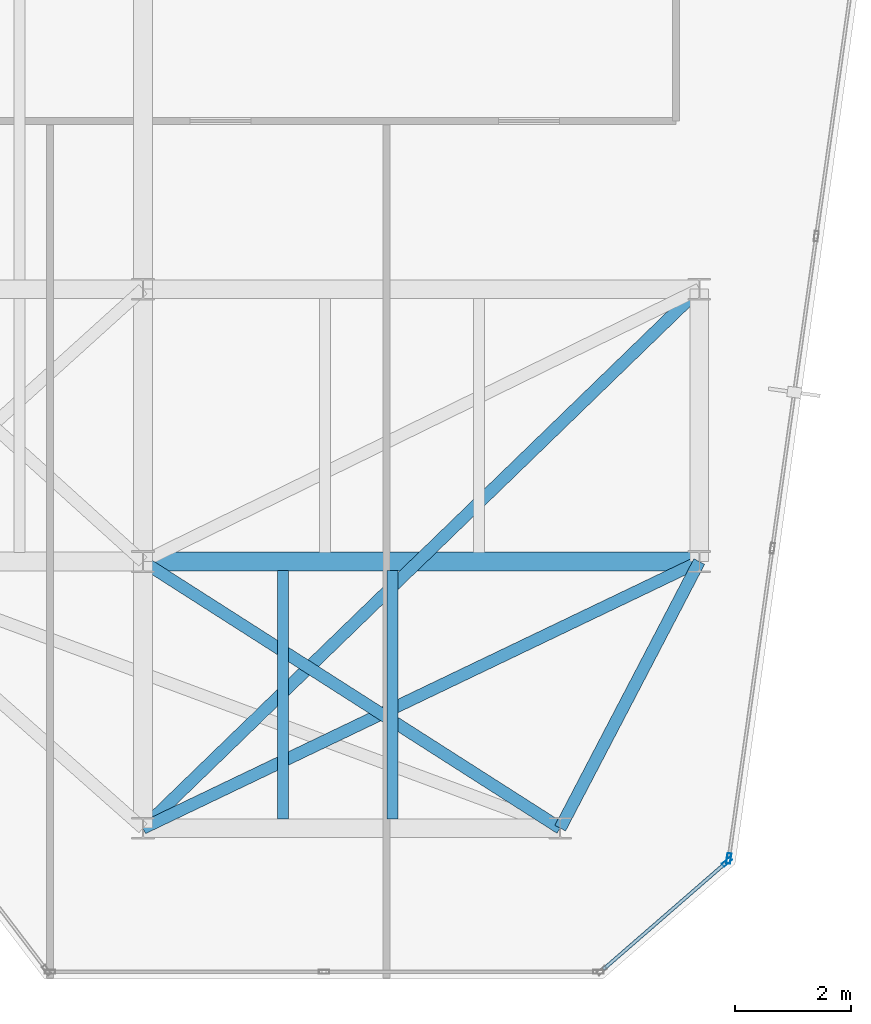
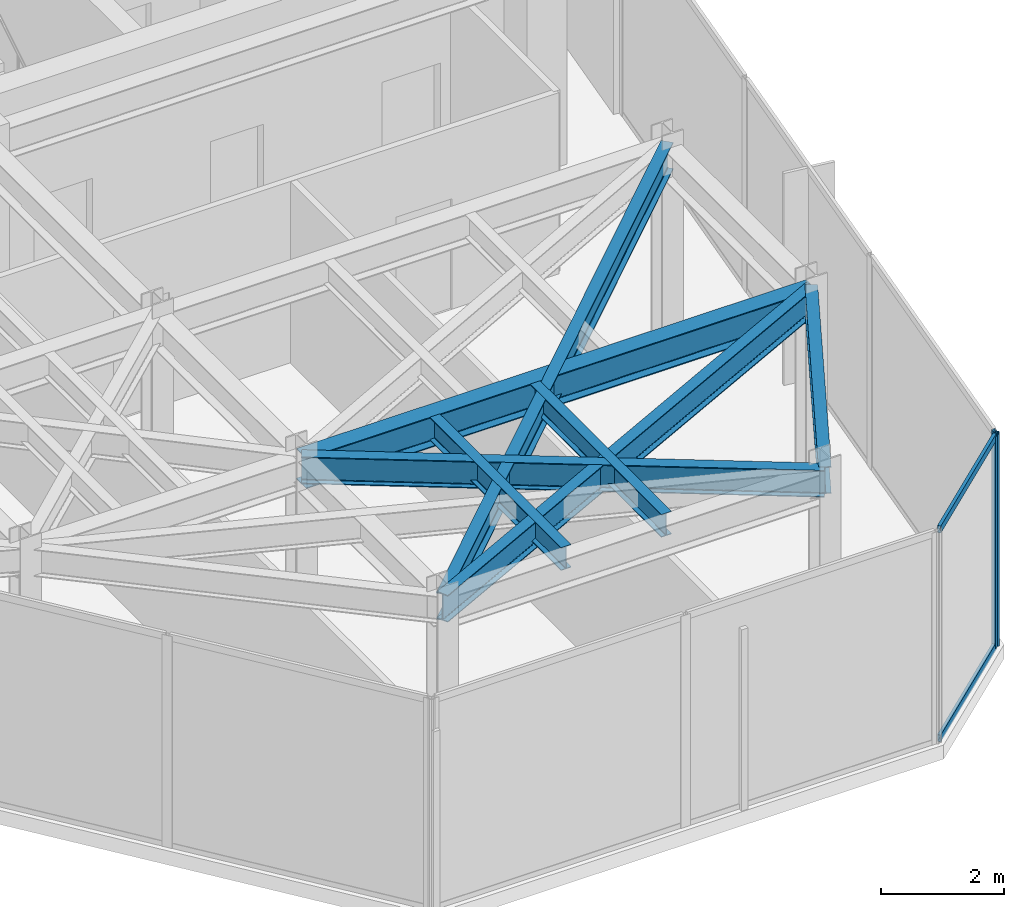
# One storey, part 8 of 17: 7 beams, 4 members, 2 elements without a shape of their own.
"""IFC4 building model written with IfcOpenShell, lengths in metres."""

import ifcopenshell
import ifcopenshell.guid

model = None  # the IFC model being written
_history = None  # IfcOwnerHistory: only IFC2X3 demands one
_inside = {}  # id of a spatial element -> (the spatial element, [elements in it])
_under = {}  # id of a project, library or spatial element -> (it, [spatial elements below it])
_declared = {}  # id of a project -> (the project, [libraries it declares])
_typed = {}  # id of a type object -> (the type object, [elements of that type])
_made_of = {}  # id of a material, layer set ... -> (it, [elements and type objects made of it])


def new_model(schema):
    """Start an empty IFC model of exactly this schema.

    Asked for "IFC4X3", IfcOpenShell would pick the latest addendum, in which some entities
    have other attributes; the version numbers below select the first issue.
    IFC2X3 requires an IfcOwnerHistory on every rooted entity: one is made here for all.
    """
    global model, _history
    if schema == "IFC4X3":
        model = ifcopenshell.file(schema_version=(4, 3, 0, 0))
    else:
        model = ifcopenshell.file(schema=schema)
    _inside.clear()
    _under.clear()
    _declared.clear()
    _typed.clear()
    _made_of.clear()
    _history = None
    if model.schema == "IFC2X3":
        org = make("IfcOrganization", Name="unknown")
        user = make(
            "IfcPersonAndOrganization",
            ThePerson=make("IfcPerson", FamilyName="unknown"),
            TheOrganization=org,
        )
        app = make(
            "IfcApplication",
            ApplicationDeveloper=org,
            Version="unknown",
            ApplicationFullName="unknown",
            ApplicationIdentifier="unknown",
        )
        _history = make(
            "IfcOwnerHistory",
            OwningUser=user,
            OwningApplication=app,
            ChangeAction="ADDED",
            CreationDate=0,
        )
    return model


def make(cls, **values):
    """One entity of the class cls with the attributes given. An attribute that is None is left unset."""
    return model.create_entity(
        cls, **{name: value for name, value in values.items() if value is not None}
    )


def rooted(cls, **values):
    """An entity with a GlobalId (a new one), such as an element, a storey or a relation."""
    return make(cls, GlobalId=ifcopenshell.guid.new(), OwnerHistory=_history, **values)


def si_unit(unit_type, name, prefix=None):
    """IfcSIUnit, for example si_unit("LENGTHUNIT", "METRE", prefix="MILLI")."""
    return make("IfcSIUnit", UnitType=unit_type, Prefix=prefix, Name=name)


def assignment(units):
    """IfcUnitAssignment: the units of a project."""
    return None if units is None else make("IfcUnitAssignment", Units=units)


def point(xyz):
    """IfcCartesianPoint."""
    return None if xyz is None else make("IfcCartesianPoint", Coordinates=xyz)


def direction(xyz):
    """IfcDirection."""
    return None if xyz is None else make("IfcDirection", DirectionRatios=xyz)


def frame(location, z_axis=None, x_axis=None):
    """IfcAxis2Placement3D, a coordinate frame: its origin and axes. An axis left out is left unset."""
    return make(
        "IfcAxis2Placement3D",
        Location=point(location),
        Axis=direction(z_axis),
        RefDirection=direction(x_axis),
    )


def frame_2d(location, x_axis=None):
    """IfcAxis2Placement2D, a coordinate frame in the plane: its origin and x axis."""
    return make(
        "IfcAxis2Placement2D", Location=point(location), RefDirection=direction(x_axis)
    )


def origin():
    """The frame at (0, 0, 0) with its axes left unset."""
    return frame((0.0, 0.0, 0.0))


def origin_2d():
    """The frame at (0, 0) in the plane with its x axis left unset."""
    return frame_2d((0.0, 0.0))


def place(relative_to, where):
    """IfcLocalPlacement: puts the frame where relative to a parent placement (None: the world)."""
    return make(
        "IfcLocalPlacement", PlacementRelTo=relative_to, RelativePlacement=where
    )


def context(
    kind, dimensions, precision=None, world=None, true_north=None, identifier=None
):
    """IfcGeometricRepresentationContext, for example the 3D "Model" context."""
    return make(
        "IfcGeometricRepresentationContext",
        ContextIdentifier=identifier,
        ContextType=kind,
        CoordinateSpaceDimension=dimensions,
        Precision=precision,
        WorldCoordinateSystem=world,
        TrueNorth=true_north,
    )


def subcontext(parent, identifier, kind, view, scale=None):
    """IfcGeometricRepresentationSubContext, for example "Body" below "Model"."""
    return make(
        "IfcGeometricRepresentationSubContext",
        ContextIdentifier=identifier,
        ContextType=kind,
        ParentContext=parent,
        TargetScale=scale,
        TargetView=view,
    )


def project(units=None, contexts=None):
    """IfcProject with its units and contexts."""
    return rooted(
        "IfcProject",
        Name="project",
        RepresentationContexts=contexts,
        UnitsInContext=assignment(units),
    )


def spatial(cls, under=None, at=None, **own):
    """A site, building, storey or space (cls), placed at a placement, below another one or the project."""
    s = rooted(cls, ObjectPlacement=at, **own)
    if under is not None:
        _under.setdefault(under.id(), (under, []))[1].append(s)
    return s


def profile(cls, at=None, kind="AREA", **sizes):
    """A parametric profile (cls). Its sizes go by their IFC names, for example OverallWidth=200.0."""
    return make(cls, ProfileType=kind, Position=at, **sizes)


def hollow_rectangle(**sizes):
    """IfcRectangleHollowProfileDef."""
    return profile("IfcRectangleHollowProfileDef", **sizes)


def i_section(**sizes):
    """IfcIShapeProfileDef."""
    return profile("IfcIShapeProfileDef", **sizes)


def extrude(swept, where, along, depth):
    """IfcExtrudedAreaSolid: the profile swept, set in the frame where, extruded along a direction by depth."""
    return make(
        "IfcExtrudedAreaSolid",
        SweptArea=swept,
        Position=where,
        ExtrudedDirection=direction(along),
        Depth=depth,
    )


def shape(context_of_items, identifier, shape_type, items):
    """IfcShapeRepresentation: the items that make up one representation, for example the "Body"."""
    return make(
        "IfcShapeRepresentation",
        ContextOfItems=context_of_items,
        RepresentationIdentifier=identifier,
        RepresentationType=shape_type,
        Items=items,
    )


def material(Name=None, Category=None):
    """IfcMaterial."""
    return make("IfcMaterial", Name=Name, Category=Category)


def layer(
    of_material, thickness, ventilated=None, Name=None, Category=None, Priority=None
):
    """IfcMaterialLayer: one layer of a wall or slab, of a material (None: an air gap)."""
    return make(
        "IfcMaterialLayer",
        Material=of_material,
        LayerThickness=thickness,
        IsVentilated=ventilated,
        Name=Name,
        Category=Category,
        Priority=Priority,
    )


def layer_set(layers, Name=None):
    """IfcMaterialLayerSet."""
    return make("IfcMaterialLayerSet", MaterialLayers=layers, LayerSetName=Name)


def material_profile(
    of_material, cross_section, Name=None, Category=None, Priority=None
):
    """IfcMaterialProfile: a cross section and its material."""
    return make(
        "IfcMaterialProfile",
        Name=Name,
        Material=of_material,
        Profile=cross_section,
        Priority=Priority,
        Category=Category,
    )


def profile_set(profiles, Name=None, composite=None):
    """IfcMaterialProfileSet."""
    return make(
        "IfcMaterialProfileSet",
        Name=Name,
        MaterialProfiles=profiles,
        CompositeProfile=composite,
    )


def made_of(thing, what):
    """Note that an element or type object is made of a material, layer set ...; save() writes the relation."""
    if what is not None:
        _made_of.setdefault(what.id(), (what, []))[1].append(thing)
    return thing


def type_object(cls, material=None, **own):
    """A type object (cls), such as IfcWallType, which elements share."""
    return made_of(rooted(cls, **own), material)


def element(
    cls,
    number,
    at=None,
    inside=None,
    cuts=None,
    type_object=None,
    material=None,
    context=None,
    identifier="Body",
    shape_type=None,
    held_by="IfcProductDefinitionShape",
    body=None,
    shapes=None,
    **own,
):
    """One element of the class cls, such as IfcWall. Its Tag is "e" and its number.

    at: its placement. inside: the storey or other place that contains it. cuts: it is an
    opening in that element (IfcRelVoidsElement). A single representation is given by context,
    identifier, shape_type and body (its items); several are given by shapes. held_by: the class
    of the entity that holds the representations. save() writes the other relations.
    """
    e = rooted(cls, Tag="e%d" % number, ObjectPlacement=at, **own)
    if body is not None:
        shapes = [shape(context, identifier, shape_type, body)]
    if shapes is not None:
        e.Representation = make(held_by, Representations=shapes)
    if inside is not None:
        _inside.setdefault(inside.id(), (inside, []))[1].append(e)
    if cuts is not None:
        rooted(
            "IfcRelVoidsElement", RelatingBuildingElement=cuts, RelatedOpeningElement=e
        )
    if type_object is not None:
        _typed.setdefault(type_object.id(), (type_object, []))[1].append(e)
    return made_of(e, material)


def aggregate(whole, parts):
    """IfcRelAggregates: a whole, such as a stair, and the parts it consists of."""
    return rooted("IfcRelAggregates", RelatingObject=whole, RelatedObjects=parts)


def save(model, path):
    """Write the relations noted so far, then the file.

    IfcRelAggregates (storeys below a building ...), IfcRelContainedInSpatialStructure (elements
    in a storey), IfcRelDefinesByType, IfcRelAssociatesMaterial and IfcRelDeclares: one each for
    every whole, place, type object, material and project.
    """
    for whole, parts in _under.values():
        aggregate(whole, parts)
    for where, things in _inside.values():
        rooted(
            "IfcRelContainedInSpatialStructure",
            RelatedElements=things,
            RelatingStructure=where,
        )
    for kind, things in _typed.values():
        rooted("IfcRelDefinesByType", RelatedObjects=things, RelatingType=kind)
    for what, things in _made_of.values():
        rooted("IfcRelAssociatesMaterial", RelatedObjects=things, RelatingMaterial=what)
    for by, libraries in _declared.values():
        rooted("IfcRelDeclares", RelatingContext=by, RelatedDefinitions=libraries)
    model.write(path)


model = new_model("IFC4")

# Units and contexts
model_context = context("Model", 3, precision=1e-05, world=origin(), true_north=direction((0.0, 1.0)))
body_context = subcontext(model_context, "Body", "Model", "MODEL_VIEW")
ifc_project = project(units=[si_unit("LENGTHUNIT", "METRE"), si_unit("AREAUNIT", "SQUARE_METRE"), si_unit("VOLUMEUNIT", "CUBIC_METRE"), si_unit("PLANEANGLEUNIT", "RADIAN"), si_unit("MASSUNIT", "GRAM", prefix="KILO")], contexts=[model_context])

# Site, building, storey
site_placement = place(None, origin())
site = spatial("IfcSite", under=ifc_project, at=site_placement, CompositionType="ELEMENT")
building_placement = place(site_placement, origin())
building = spatial("IfcBuilding", under=site, at=building_placement, Name="Kravanh Interchange Tower", CompositionType="ELEMENT")
storey_placement = place(building_placement, frame((0.0, 0.0, 311.10009765625)))
storey = spatial("IfcBuildingStorey", under=building, at=storey_placement, Name="L77", CompositionType="ELEMENT", Elevation=311.10009765625)

# Curtain wall, member
ifc_material_1 = material(Name="Anodised Bronze Aluminium", Category="aluminium")
ifc_layer = layer(ifc_material_1, 0.179931640625)
ifc_layer_set = layer_set([ifc_layer], Name="Unitised Curtain Wall System CW-SKY Sky Observatory")
curtain_wall_type = type_object("IfcCurtainWallType", Name="Unitised Curtain Wall System CW-SKY Sky Observatory", PredefinedType="NOTDEFINED", material=ifc_layer_set)
curtain_wall_1_placement = place(storey_placement, origin())
curtain_wall_1 = element("IfcCurtainWall", 1, at=curtain_wall_1_placement, inside=storey, type_object=curtain_wall_type, Name="L77 Unitised Curtain Wall CW-L77-02", PredefinedType="NOTDEFINED")
ifc_material_2 = material(Name="Anodised Bronze Aluminium", Category="aluminium")
ifc_material_profile_1 = material_profile(ifc_material_2, hollow_rectangle(XDim=0.070068359375, YDim=0.179931640625, WallThickness=0.00390625, at=origin_2d()), Name="ALU70X180X4")
ifc_profile_set_1 = profile_set([ifc_material_profile_1], Name="Anodised Bronze Aluminium")
member_type_1 = type_object("IfcMemberType", Name="Curtain Wall Mullion ALU70X180X4 Bronze", PredefinedType="MULLION", material=ifc_profile_set_1)
member_1_placement = place(storey_placement, frame((66.10888671875, 21.67626953125, 0.0), z_axis=(0.0, 0.0, 1.0), x_axis=(0.990267350999, -0.139178207869, 0.0)))
member_1 = element("IfcMember", 2, at=member_1_placement, type_object=member_type_1, Name="CW-SKY mullion 4", PredefinedType="MULLION", context=body_context, shape_type="SweptSolid", body=[
    extrude(hollow_rectangle(XDim=0.070068359375, YDim=0.179931640625, WallThickness=0.00390625, at=origin_2d()), origin(), (0.0, 0.0, 1.0), 4.219970703125),
])
aggregate(curtain_wall_1, [member_1])

# Curtain wall, members
curtain_wall_2_placement = place(storey_placement, origin())
curtain_wall_2 = element("IfcCurtainWall", 3, at=curtain_wall_2_placement, inside=storey, type_object=curtain_wall_type, Name="L77 Unitised Curtain Wall CW-L77-03", PredefinedType="NOTDEFINED")
member_2_placement = place(storey_placement, frame((66.07763671875, 21.61865234375, 0.0), z_axis=(0.0, 0.0, 1.0), x_axis=(0.656050227106, -0.754717231494, 0.0)))
member_2 = element("IfcMember", 4, at=member_2_placement, type_object=member_type_1, Name="CW-SKY mullion 1", PredefinedType="MULLION", context=body_context, shape_type="SweptSolid", body=[
    extrude(hollow_rectangle(XDim=0.070068359375, YDim=0.179931640625, WallThickness=0.00390625, at=origin_2d()), origin(), (0.0, 0.0, 1.0), 4.219970703125),
])
ifc_material_3 = material(Name="Anodised Bronze Aluminium", Category="aluminium")
ifc_material_profile_2 = material_profile(ifc_material_3, hollow_rectangle(XDim=0.06005859375, YDim=0.139892578125, WallThickness=0.00390625, at=origin_2d()), Name="ALU60X140X4")
ifc_profile_set_2 = profile_set([ifc_material_profile_2], Name="Anodised Bronze Aluminium")
member_type_2 = type_object("IfcMemberType", Name="Curtain Wall Transom ALU60X140X4 Bronze", PredefinedType="USERDEFINED", material=ifc_profile_set_2)
member_3_placement = place(storey_placement, frame((66.05126953125, 21.595703125, 0.02978515625), z_axis=(-0.754709157802, -0.65605951493, 0.0), x_axis=(0.65605951493, -0.754709157802, 0.0)))
member_3 = element("IfcMember", 5, at=member_3_placement, type_object=member_type_2, Name="CW-SKY transom 1.1", ObjectType="TRANSOM", PredefinedType="USERDEFINED", context=body_context, shape_type="SweptSolid", body=[
    extrude(hollow_rectangle(XDim=0.06005859375, YDim=0.139892578125, WallThickness=0.00390625, at=origin_2d()), origin(), (0.0, 0.0, 1.0), 2.7890625),
])
member_4_placement = place(storey_placement, frame((66.05126953125, 21.595703125, 4.18994140625), z_axis=(-0.754709157802, -0.65605951493, 0.0), x_axis=(0.65605951493, -0.754709157802, 0.0)))
member_4 = element("IfcMember", 6, at=member_4_placement, type_object=member_type_2, Name="CW-SKY transom 1.2", ObjectType="TRANSOM", PredefinedType="USERDEFINED", context=body_context, shape_type="SweptSolid", body=[
    extrude(hollow_rectangle(XDim=0.06005859375, YDim=0.139892578125, WallThickness=0.00390625, at=origin_2d()), origin(), (0.0, 0.0, 1.0), 2.7890625),
])
aggregate(curtain_wall_2, [member_2, member_3, member_4])

# Beams
ifc_material_4 = material(Name="Structural Steel S355", Category="steel")
ifc_material_profile_3 = material_profile(ifc_material_4, i_section(OverallWidth=0.323974609375, OverallDepth=0.611083984375, WebThickness=0.0126953125, FlangeThickness=0.01904296875, FilletRadius=0.02197265625, at=origin_2d()), Name="W24X104")
ifc_profile_set_3 = profile_set([ifc_material_profile_3], Name="Structural Steel S355")
beam_type_1 = type_object("IfcBeamType", Name="Floor Beam W24X104 Structural Steel S355", PredefinedType="BEAM", material=ifc_profile_set_3)
beam_1_placement = place(storey_placement, frame((56.0, 26.800048828125, 3.914306640625), z_axis=(1.0, 0.0, 0.0), x_axis=(0.0, 1.0, 0.0)))
element("IfcBeam", 7, at=beam_1_placement, inside=storey, type_object=beam_type_1, Name="L77 Primary Floor Girder 25", PredefinedType="BEAM", context=body_context, shape_type="SweptSolid", body=[
    extrude(i_section(OverallWidth=0.323974609375, OverallDepth=0.611083984375, WebThickness=0.0126953125, FlangeThickness=0.01904296875, FilletRadius=0.02197265625, at=origin_2d()), origin(), (0.0, 0.0, 1.0), 9.60009765625),
])
ifc_material_5 = material(Name="Structural Steel S355", Category="steel")
ifc_material_profile_4 = material_profile(ifc_material_5, i_section(OverallWidth=0.18994140625, OverallDepth=0.45703125, WebThickness=0.009033203125, FlangeThickness=0.014404296875, FilletRadius=0.01806640625, at=origin_2d()), Name="W18X50")
ifc_profile_set_4 = profile_set([ifc_material_profile_4], Name="Structural Steel S355")
beam_type_2 = type_object("IfcBeamType", Name="Floor Joist W18X50 Structural Steel S355", PredefinedType="JOIST", material=ifc_profile_set_4)
for number, where, z_axis, x_axis, name in (
    (8, (58.419921875, 22.35693359375, 3.991455078125), (0.0, 1.0, 0.0), (-1.0, 0.0, 0.0), "L77 Secondary Floor Joist 1"),
    (9, (60.30810546875, 22.35693359375, 3.991455078125), (0.0, 1.0, 0.0), (-1.0, 0.0, 0.0), "L77 Secondary Floor Joist 2"),
):
    element("IfcBeam", number, at=place(storey_placement, frame(where, z_axis=z_axis, x_axis=x_axis)), inside=storey, type_object=beam_type_2, Name=name, PredefinedType="JOIST", context=body_context, shape_type="SweptSolid", body=[
        extrude(i_section(OverallWidth=0.18994140625, OverallDepth=0.45703125, WebThickness=0.009033203125, FlangeThickness=0.014404296875, FilletRadius=0.01806640625, at=origin_2d()), origin(), (0.0, 0.0, 1.0), 4.2861328125),
    ])
ifc_material_6 = material(Name="Structural Steel S355", Category="steel")
ifc_material_profile_5 = material_profile(ifc_material_6, i_section(OverallWidth=0.2099609375, OverallDepth=0.537109375, WebThickness=0.010986328125, FlangeThickness=0.017333984375, FilletRadius=0.02001953125, at=origin_2d()), Name="W21X68")
ifc_profile_set_5 = profile_set([ifc_material_profile_5], Name="Structural Steel S355")
beam_type_3 = type_object("IfcBeamType", Name="Floor Spandrel W21X68 Structural Steel S355", PredefinedType="SPANDREL", material=ifc_profile_set_5)
beam_2_placement = place(storey_placement, frame((65.60009765625, 31.5, 3.951416015625), z_axis=(-0.718241934329, -0.695793449072, 0.0), x_axis=(0.695793449072, -0.718241934329, 0.0)))
element("IfcBeam", 10, at=beam_2_placement, inside=storey, type_object=beam_type_3, Name="L77 Perimeter Spandrel 16", PredefinedType="SPANDREL", context=body_context, shape_type="SweptSolid", body=[
    extrude(i_section(OverallWidth=0.2099609375, OverallDepth=0.537109375, WebThickness=0.010986328125, FlangeThickness=0.017333984375, FilletRadius=0.02001953125, at=origin_2d()), origin(), (0.0, 0.0, 1.0), 13.3662109375),
])
beam_3_placement = place(storey_placement, frame((56.0, 26.800048828125, 3.951416015625), z_axis=(0.842689417531, -0.53839998661, 0.0), x_axis=(0.53839998661, 0.842689417531, 0.0)))
element("IfcBeam", 11, at=beam_3_placement, inside=storey, type_object=beam_type_3, Name="L77 Perimeter Spandrel 24", PredefinedType="SPANDREL", context=body_context, shape_type="SweptSolid", body=[
    extrude(i_section(OverallWidth=0.2099609375, OverallDepth=0.537109375, WebThickness=0.010986328125, FlangeThickness=0.017333984375, FilletRadius=0.02001953125, at=origin_2d()), origin(), (0.0, 0.0, 1.0), 8.5439453125),
])
beam_4_placement = place(storey_placement, frame((65.60009765625, 26.800048828125, 3.951416015625), z_axis=(-0.462580479178, -0.886577295155, 0.0), x_axis=(0.886577295155, -0.462580479178, 0.0)))
element("IfcBeam", 12, at=beam_4_placement, inside=storey, type_object=beam_type_3, Name="L77 Perimeter Spandrel 26", PredefinedType="SPANDREL", context=body_context, shape_type="SweptSolid", body=[
    extrude(i_section(OverallWidth=0.2099609375, OverallDepth=0.537109375, WebThickness=0.010986328125, FlangeThickness=0.017333984375, FilletRadius=0.02001953125, at=origin_2d()), origin(), (0.0, 0.0, 1.0), 5.188720703125),
])
beam_5_placement = place(storey_placement, frame((65.60009765625, 26.800048828125, 3.951416015625), z_axis=(-0.901814166789, -0.432124066188, 0.0), x_axis=(0.432124066188, -0.901814166789, 0.0)))
element("IfcBeam", 13, at=beam_5_placement, inside=storey, type_object=beam_type_3, Name="L77 Perimeter Spandrel 27", PredefinedType="SPANDREL", context=body_context, shape_type="SweptSolid", body=[
    extrude(i_section(OverallWidth=0.2099609375, OverallDepth=0.537109375, WebThickness=0.010986328125, FlangeThickness=0.017333984375, FilletRadius=0.02001953125, at=origin_2d()), origin(), (0.0, 0.0, 1.0), 10.645263671875),
])

save(model, "model.ifc")
